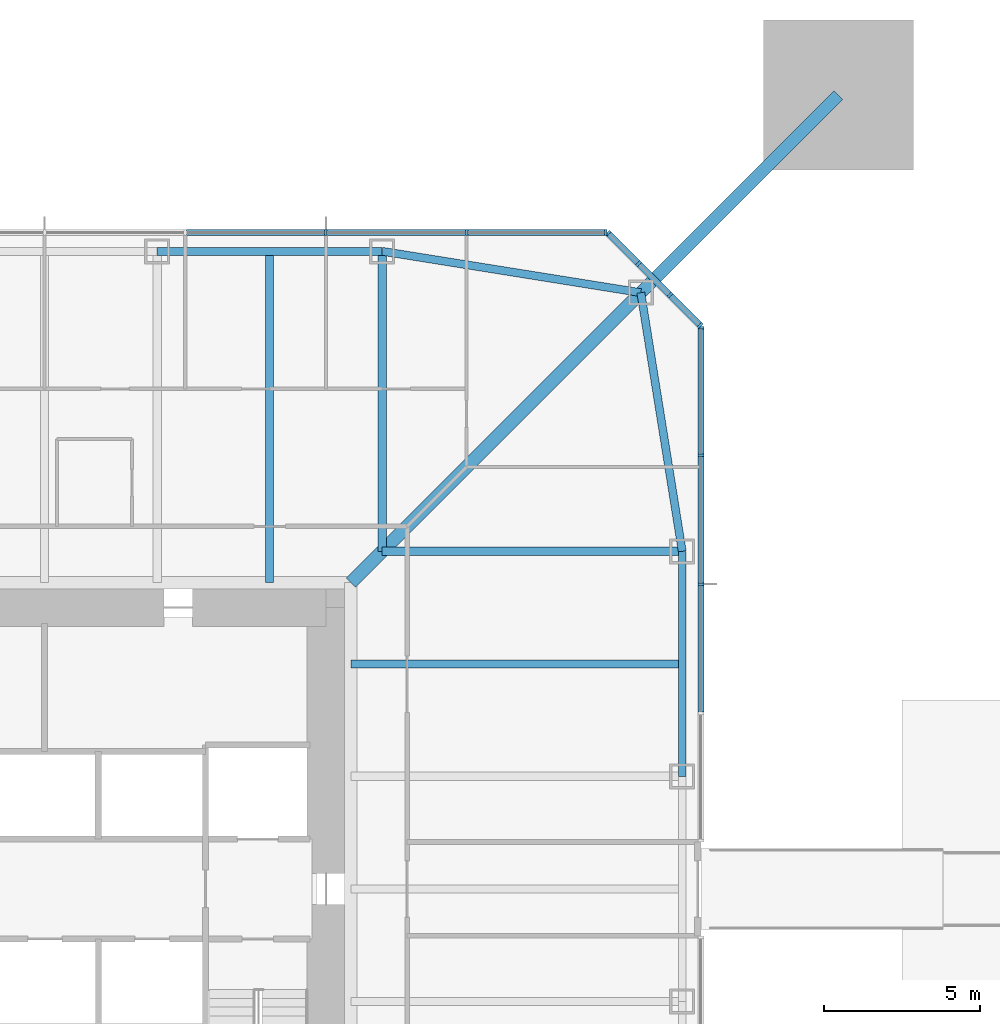
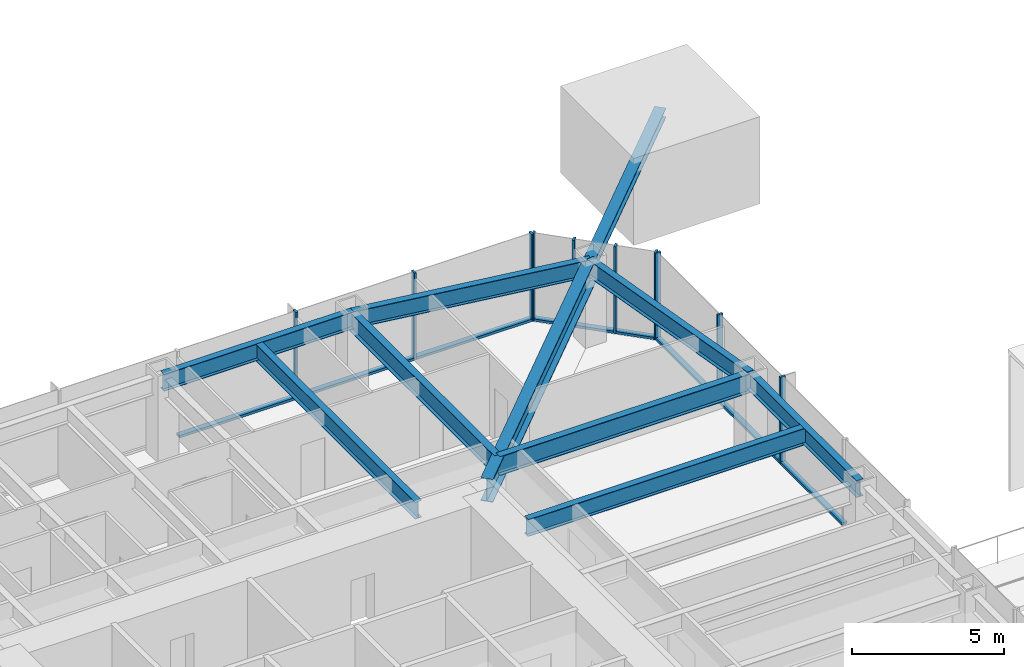
# One storey, part 8 of 23: 20 members, 9 beams, 3 elements without a shape of their own.
"""IFC4 building model written with IfcOpenShell, lengths in metres."""

import ifcopenshell
import ifcopenshell.guid

model = None  # the IFC model being written
_history = None  # IfcOwnerHistory: only IFC2X3 demands one
_inside = {}  # id of a spatial element -> (the spatial element, [elements in it])
_under = {}  # id of a project, library or spatial element -> (it, [spatial elements below it])
_declared = {}  # id of a project -> (the project, [libraries it declares])
_typed = {}  # id of a type object -> (the type object, [elements of that type])
_made_of = {}  # id of a material, layer set ... -> (it, [elements and type objects made of it])


def new_model(schema):
    """Start an empty IFC model of exactly this schema.

    Asked for "IFC4X3", IfcOpenShell would pick the latest addendum, in which some entities
    have other attributes; the version numbers below select the first issue.
    IFC2X3 requires an IfcOwnerHistory on every rooted entity: one is made here for all.
    """
    global model, _history
    if schema == "IFC4X3":
        model = ifcopenshell.file(schema_version=(4, 3, 0, 0))
    else:
        model = ifcopenshell.file(schema=schema)
    _inside.clear()
    _under.clear()
    _declared.clear()
    _typed.clear()
    _made_of.clear()
    _history = None
    if model.schema == "IFC2X3":
        org = make("IfcOrganization", Name="unknown")
        user = make(
            "IfcPersonAndOrganization",
            ThePerson=make("IfcPerson", FamilyName="unknown"),
            TheOrganization=org,
        )
        app = make(
            "IfcApplication",
            ApplicationDeveloper=org,
            Version="unknown",
            ApplicationFullName="unknown",
            ApplicationIdentifier="unknown",
        )
        _history = make(
            "IfcOwnerHistory",
            OwningUser=user,
            OwningApplication=app,
            ChangeAction="ADDED",
            CreationDate=0,
        )
    return model


def make(cls, **values):
    """One entity of the class cls with the attributes given. An attribute that is None is left unset."""
    return model.create_entity(
        cls, **{name: value for name, value in values.items() if value is not None}
    )


def rooted(cls, **values):
    """An entity with a GlobalId (a new one), such as an element, a storey or a relation."""
    return make(cls, GlobalId=ifcopenshell.guid.new(), OwnerHistory=_history, **values)


def si_unit(unit_type, name, prefix=None):
    """IfcSIUnit, for example si_unit("LENGTHUNIT", "METRE", prefix="MILLI")."""
    return make("IfcSIUnit", UnitType=unit_type, Prefix=prefix, Name=name)


def assignment(units):
    """IfcUnitAssignment: the units of a project."""
    return None if units is None else make("IfcUnitAssignment", Units=units)


def point(xyz):
    """IfcCartesianPoint."""
    return None if xyz is None else make("IfcCartesianPoint", Coordinates=xyz)


def direction(xyz):
    """IfcDirection."""
    return None if xyz is None else make("IfcDirection", DirectionRatios=xyz)


def frame(location, z_axis=None, x_axis=None):
    """IfcAxis2Placement3D, a coordinate frame: its origin and axes. An axis left out is left unset."""
    return make(
        "IfcAxis2Placement3D",
        Location=point(location),
        Axis=direction(z_axis),
        RefDirection=direction(x_axis),
    )


def frame_2d(location, x_axis=None):
    """IfcAxis2Placement2D, a coordinate frame in the plane: its origin and x axis."""
    return make(
        "IfcAxis2Placement2D", Location=point(location), RefDirection=direction(x_axis)
    )


def origin():
    """The frame at (0, 0, 0) with its axes left unset."""
    return frame((0.0, 0.0, 0.0))


def origin_2d():
    """The frame at (0, 0) in the plane with its x axis left unset."""
    return frame_2d((0.0, 0.0))


def place(relative_to, where):
    """IfcLocalPlacement: puts the frame where relative to a parent placement (None: the world)."""
    return make(
        "IfcLocalPlacement", PlacementRelTo=relative_to, RelativePlacement=where
    )


def context(
    kind, dimensions, precision=None, world=None, true_north=None, identifier=None
):
    """IfcGeometricRepresentationContext, for example the 3D "Model" context."""
    return make(
        "IfcGeometricRepresentationContext",
        ContextIdentifier=identifier,
        ContextType=kind,
        CoordinateSpaceDimension=dimensions,
        Precision=precision,
        WorldCoordinateSystem=world,
        TrueNorth=true_north,
    )


def subcontext(parent, identifier, kind, view, scale=None):
    """IfcGeometricRepresentationSubContext, for example "Body" below "Model"."""
    return make(
        "IfcGeometricRepresentationSubContext",
        ContextIdentifier=identifier,
        ContextType=kind,
        ParentContext=parent,
        TargetScale=scale,
        TargetView=view,
    )


def project(units=None, contexts=None):
    """IfcProject with its units and contexts."""
    return rooted(
        "IfcProject",
        Name="project",
        RepresentationContexts=contexts,
        UnitsInContext=assignment(units),
    )


def spatial(cls, under=None, at=None, **own):
    """A site, building, storey or space (cls), placed at a placement, below another one or the project."""
    s = rooted(cls, ObjectPlacement=at, **own)
    if under is not None:
        _under.setdefault(under.id(), (under, []))[1].append(s)
    return s


def profile(cls, at=None, kind="AREA", **sizes):
    """A parametric profile (cls). Its sizes go by their IFC names, for example OverallWidth=200.0."""
    return make(cls, ProfileType=kind, Position=at, **sizes)


def rectangle(**sizes):
    """IfcRectangleProfileDef."""
    return profile("IfcRectangleProfileDef", **sizes)


def i_section(**sizes):
    """IfcIShapeProfileDef."""
    return profile("IfcIShapeProfileDef", **sizes)


def extrude(swept, where, along, depth):
    """IfcExtrudedAreaSolid: the profile swept, set in the frame where, extruded along a direction by depth."""
    return make(
        "IfcExtrudedAreaSolid",
        SweptArea=swept,
        Position=where,
        ExtrudedDirection=direction(along),
        Depth=depth,
    )


def shape(context_of_items, identifier, shape_type, items):
    """IfcShapeRepresentation: the items that make up one representation, for example the "Body"."""
    return make(
        "IfcShapeRepresentation",
        ContextOfItems=context_of_items,
        RepresentationIdentifier=identifier,
        RepresentationType=shape_type,
        Items=items,
    )


def material(Name=None, Category=None):
    """IfcMaterial."""
    return make("IfcMaterial", Name=Name, Category=Category)


def material_profile(
    of_material, cross_section, Name=None, Category=None, Priority=None
):
    """IfcMaterialProfile: a cross section and its material."""
    return make(
        "IfcMaterialProfile",
        Name=Name,
        Material=of_material,
        Profile=cross_section,
        Priority=Priority,
        Category=Category,
    )


def profile_set(profiles, Name=None, composite=None):
    """IfcMaterialProfileSet."""
    return make(
        "IfcMaterialProfileSet",
        Name=Name,
        MaterialProfiles=profiles,
        CompositeProfile=composite,
    )


def made_of(thing, what):
    """Note that an element or type object is made of a material, layer set ...; save() writes the relation."""
    if what is not None:
        _made_of.setdefault(what.id(), (what, []))[1].append(thing)
    return thing


def type_object(cls, material=None, **own):
    """A type object (cls), such as IfcWallType, which elements share."""
    return made_of(rooted(cls, **own), material)


def element(
    cls,
    number,
    at=None,
    inside=None,
    cuts=None,
    type_object=None,
    material=None,
    context=None,
    identifier="Body",
    shape_type=None,
    held_by="IfcProductDefinitionShape",
    body=None,
    shapes=None,
    **own,
):
    """One element of the class cls, such as IfcWall. Its Tag is "e" and its number.

    at: its placement. inside: the storey or other place that contains it. cuts: it is an
    opening in that element (IfcRelVoidsElement). A single representation is given by context,
    identifier, shape_type and body (its items); several are given by shapes. held_by: the class
    of the entity that holds the representations. save() writes the other relations.
    """
    e = rooted(cls, Tag="e%d" % number, ObjectPlacement=at, **own)
    if body is not None:
        shapes = [shape(context, identifier, shape_type, body)]
    if shapes is not None:
        e.Representation = make(held_by, Representations=shapes)
    if inside is not None:
        _inside.setdefault(inside.id(), (inside, []))[1].append(e)
    if cuts is not None:
        rooted(
            "IfcRelVoidsElement", RelatingBuildingElement=cuts, RelatedOpeningElement=e
        )
    if type_object is not None:
        _typed.setdefault(type_object.id(), (type_object, []))[1].append(e)
    return made_of(e, material)


def aggregate(whole, parts):
    """IfcRelAggregates: a whole, such as a stair, and the parts it consists of."""
    return rooted("IfcRelAggregates", RelatingObject=whole, RelatedObjects=parts)


def save(model, path):
    """Write the relations noted so far, then the file.

    IfcRelAggregates (storeys below a building ...), IfcRelContainedInSpatialStructure (elements
    in a storey), IfcRelDefinesByType, IfcRelAssociatesMaterial and IfcRelDeclares: one each for
    every whole, place, type object, material and project.
    """
    for whole, parts in _under.values():
        aggregate(whole, parts)
    for where, things in _inside.values():
        rooted(
            "IfcRelContainedInSpatialStructure",
            RelatedElements=things,
            RelatingStructure=where,
        )
    for kind, things in _typed.values():
        rooted("IfcRelDefinesByType", RelatedObjects=things, RelatingType=kind)
    for what, things in _made_of.values():
        rooted("IfcRelAssociatesMaterial", RelatedObjects=things, RelatingMaterial=what)
    for by, libraries in _declared.values():
        rooted("IfcRelDeclares", RelatingContext=by, RelatedDefinitions=libraries)
    model.write(path)


model = new_model("IFC4")

# Units and contexts
model_context = context("Model", 3, precision=1e-05, world=origin(), true_north=direction((0.0, 1.0)))
body_context = subcontext(model_context, "Body", "Model", "MODEL_VIEW")
ifc_project = project(units=[si_unit("LENGTHUNIT", "METRE"), si_unit("AREAUNIT", "SQUARE_METRE"), si_unit("VOLUMEUNIT", "CUBIC_METRE"), si_unit("PLANEANGLEUNIT", "RADIAN"), si_unit("MASSUNIT", "GRAM", prefix="KILO")], contexts=[model_context])

# Site, building, storey
site_placement = place(None, origin())
site = spatial("IfcSite", under=ifc_project, at=site_placement, CompositionType="ELEMENT")
building_placement = place(site_placement, origin())
building = spatial("IfcBuilding", under=site, at=building_placement, Name="Iwan Alto Co-Living Towers", CompositionType="ELEMENT")
storey_placement = place(building_placement, frame((0.0, 0.0, 129.5)))
storey = spatial("IfcBuildingStorey", under=building, at=storey_placement, Name="L35", CompositionType="ELEMENT", Elevation=129.5)

# Curtain wall, members
ifc_material_1 = material(Name="Bronze aluminium unitised frame", Category="aluminium")
curtain_wall_type_1 = type_object("IfcCurtainWallType", Name="CURTAIN WALL CW-A", PredefinedType="NOTDEFINED", material=ifc_material_1)
curtain_wall_1_placement = place(storey_placement, origin())
curtain_wall_1 = element("IfcCurtainWall", 1, at=curtain_wall_1_placement, inside=storey, type_object=curtain_wall_type_1, Name="T1 curtain wall E L35 part 2", PredefinedType="NOTDEFINED")
ifc_material_2 = material(Name="Aluminium 6063-T6 bronze anodised", Category="aluminium")
ifc_material_profile_1 = material_profile(ifc_material_2, rectangle(XDim=0.199951171875, YDim=0.080078125, at=origin_2d()), Name="AL 80X200")
ifc_profile_set_1 = profile_set([ifc_material_profile_1], Name="Aluminium 6063-T6 bronze anodised")
member_type_1 = type_object("IfcMemberType", Name="CW-A MULLION 80X200", PredefinedType="MULLION", material=ifc_profile_set_1)
member_1_placement = place(storey_placement, frame((21.0, 9.75, 0.0), z_axis=(0.0, 0.0, 1.0), x_axis=(-1.0, 0.0, 0.0)))
member_1 = element("IfcMember", 2, at=member_1_placement, type_object=member_type_1, Name="CW-A mullion 3", PredefinedType="MULLION", context=body_context, shape_type="SweptSolid", body=[
    extrude(rectangle(XDim=0.199951171875, YDim=0.080078125, at=origin_2d()), origin(), (0.0, 0.0, 1.0), 3.5),
])
member_2_placement = place(storey_placement, frame((21.0, 13.875, 0.0), z_axis=(0.0, 0.0, 1.0), x_axis=(-1.0, 0.0, 0.0)))
member_2 = element("IfcMember", 3, at=member_2_placement, type_object=member_type_1, Name="CW-A mullion 4", PredefinedType="MULLION", context=body_context, shape_type="SweptSolid", body=[
    extrude(rectangle(XDim=0.199951171875, YDim=0.080078125, at=origin_2d()), origin(), (0.0, 0.0, 1.0), 3.5),
])
member_3_placement = place(storey_placement, frame((21.0, 17.9599609375, 0.0), z_axis=(0.0, 0.0, 1.0), x_axis=(-1.0, 0.0, 0.0)))
member_3 = element("IfcMember", 4, at=member_3_placement, type_object=member_type_1, Name="CW-A mullion 5", PredefinedType="MULLION", context=body_context, shape_type="SweptSolid", body=[
    extrude(rectangle(XDim=0.199951171875, YDim=0.080078125, at=origin_2d()), origin(), (0.0, 0.0, 1.0), 3.5),
])

curtain_wall_2_placement = place(storey_placement, origin())
curtain_wall_2 = element("IfcCurtainWall", 5, at=curtain_wall_2_placement, inside=storey, type_object=curtain_wall_type_1, Name="T1 curtain wall N L35", PredefinedType="NOTDEFINED")
member_4_placement = place(storey_placement, frame((17.9599609375, 21.0, 0.0), z_axis=(0.0, 0.0, 1.0), x_axis=(0.0, -1.0, 0.0)))
member_4 = element("IfcMember", 6, at=member_4_placement, type_object=member_type_1, Name="CW-A mullion 1", PredefinedType="MULLION", context=body_context, shape_type="SweptSolid", body=[
    extrude(rectangle(XDim=0.199951171875, YDim=0.080078125, at=origin_2d()), origin(), (0.0, 0.0, 1.0), 3.5),
])
member_5_placement = place(storey_placement, frame((13.5, 21.0, 0.0), z_axis=(0.0, 0.0, 1.0), x_axis=(0.0, -1.0, 0.0)))
member_5 = element("IfcMember", 7, at=member_5_placement, type_object=member_type_1, Name="CW-A mullion 2", PredefinedType="MULLION", context=body_context, shape_type="SweptSolid", body=[
    extrude(rectangle(XDim=0.199951171875, YDim=0.080078125, at=origin_2d()), origin(), (0.0, 0.0, 1.0), 3.5),
])
member_6_placement = place(storey_placement, frame((9.0, 21.0, 0.0), z_axis=(0.0, 0.0, 1.0), x_axis=(0.0, -1.0, 0.0)))
member_6 = element("IfcMember", 8, at=member_6_placement, type_object=member_type_1, Name="CW-A mullion 3", PredefinedType="MULLION", context=body_context, shape_type="SweptSolid", body=[
    extrude(rectangle(XDim=0.199951171875, YDim=0.080078125, at=origin_2d()), origin(), (0.0, 0.0, 1.0), 3.5),
])

# Member
ifc_material_3 = material(Name="Aluminium 6063-T6 bronze anodised", Category="aluminium")
ifc_material_profile_2 = material_profile(ifc_material_3, rectangle(XDim=0.199951171875, YDim=0.10009765625, at=origin_2d()), Name="AL 200X100")
ifc_profile_set_2 = profile_set([ifc_material_profile_2], Name="Aluminium 6063-T6 bronze anodised")
member_type_2 = type_object("IfcMemberType", Name="CW-A TRANSOM 200X100", PredefinedType="USERDEFINED", material=ifc_profile_set_2)
member_7_placement = place(storey_placement, frame((21.0, 5.6650390625, 0.050048828125), z_axis=(0.0, 1.0, 0.0), x_axis=(-1.0, 0.0, 0.0)))
member_7 = element("IfcMember", 9, at=member_7_placement, type_object=member_type_2, Name="CW-A transom 2.1", ObjectType="TRANSOM", PredefinedType="USERDEFINED", context=body_context, shape_type="SweptSolid", body=[
    extrude(rectangle(XDim=0.199951171875, YDim=0.10009765625, at=origin_2d()), origin(), (0.0, 0.0, 1.0), 4.044921875),
])

member_8_placement = place(storey_placement, frame((21.0, 9.7900390625, 0.050048828125), z_axis=(0.0, 1.0, 0.0), x_axis=(-1.0, 0.0, 0.0)))
member_8 = element("IfcMember", 10, at=member_8_placement, type_object=member_type_2, Name="CW-A transom 3.1", ObjectType="TRANSOM", PredefinedType="USERDEFINED", context=body_context, shape_type="SweptSolid", body=[
    extrude(rectangle(XDim=0.199951171875, YDim=0.10009765625, at=origin_2d()), origin(), (0.0, 0.0, 1.0), 4.044921875),
])

member_9_placement = place(storey_placement, frame((21.0, 13.9150390625, 0.050048828125), z_axis=(0.0, 1.0, 0.0), x_axis=(-1.0, 0.0, 0.0)))
member_9 = element("IfcMember", 11, at=member_9_placement, type_object=member_type_2, Name="CW-A transom 4.1", ObjectType="TRANSOM", PredefinedType="USERDEFINED", context=body_context, shape_type="SweptSolid", body=[
    extrude(rectangle(XDim=0.199951171875, YDim=0.10009765625, at=origin_2d()), origin(), (0.0, 0.0, 1.0), 4.0048828125),
])

aggregate(curtain_wall_1, [member_1, member_2, member_3, member_7, member_8, member_9])

member_10_placement = place(storey_placement, frame((17.919921875, 21.0, 0.050048828125), z_axis=(-1.0, 0.0, 0.0), x_axis=(0.0, -1.0, 0.0)))
member_10 = element("IfcMember", 12, at=member_10_placement, type_object=member_type_2, Name="CW-A transom 1.1", ObjectType="TRANSOM", PredefinedType="USERDEFINED", context=body_context, shape_type="SweptSolid", body=[
    extrude(rectangle(XDim=0.199951171875, YDim=0.10009765625, at=origin_2d()), origin(), (0.0, 0.0, 1.0), 4.3798828125),
])

member_11_placement = place(storey_placement, frame((13.4599609375, 21.0, 0.050048828125), z_axis=(-1.0, 0.0, 0.0), x_axis=(0.0, -1.0, 0.0)))
member_11 = element("IfcMember", 13, at=member_11_placement, type_object=member_type_2, Name="CW-A transom 2.1", ObjectType="TRANSOM", PredefinedType="USERDEFINED", context=body_context, shape_type="SweptSolid", body=[
    extrude(rectangle(XDim=0.199951171875, YDim=0.10009765625, at=origin_2d()), origin(), (0.0, 0.0, 1.0), 4.419921875),
])

member_12_placement = place(storey_placement, frame((8.9599609375, 21.0, 0.050048828125), z_axis=(-1.0, 0.0, 0.0), x_axis=(0.0, -1.0, 0.0)))
member_12 = element("IfcMember", 14, at=member_12_placement, type_object=member_type_2, Name="CW-A transom 3.1", ObjectType="TRANSOM", PredefinedType="USERDEFINED", context=body_context, shape_type="SweptSolid", body=[
    extrude(rectangle(XDim=0.199951171875, YDim=0.10009765625, at=origin_2d()), origin(), (0.0, 0.0, 1.0), 4.419921875),
])

aggregate(curtain_wall_2, [member_4, member_5, member_6, member_10, member_11, member_12])

# Curtain wall, members
ifc_material_4 = material(Name="Bronze aluminium unitised frame", Category="aluminium")
curtain_wall_type_2 = type_object("IfcCurtainWallType", Name="CURTAIN WALL CW-B", PredefinedType="NOTDEFINED", material=ifc_material_4)
curtain_wall_3_placement = place(storey_placement, origin())
curtain_wall_3 = element("IfcCurtainWall", 15, at=curtain_wall_3_placement, inside=storey, type_object=curtain_wall_type_2, Name="T1 chamfer curtain wall NE L35", PredefinedType="NOTDEFINED")
ifc_material_5 = material(Name="Aluminium 6063-T6 bronze anodised", Category="aluminium")
ifc_material_profile_3 = material_profile(ifc_material_5, rectangle(XDim=0.199951171875, YDim=0.080078125, at=origin_2d()), Name="AL 80X200")
ifc_profile_set_3 = profile_set([ifc_material_profile_3], Name="Aluminium 6063-T6 bronze anodised")
member_type_3 = type_object("IfcMemberType", Name="CW-B MULLION 80X200", PredefinedType="MULLION", material=ifc_profile_set_3)
member_13_placement = place(storey_placement, frame((20.9716796875, 18.0283203125, 0.0), z_axis=(0.0, 0.0, 1.0), x_axis=(-0.707106781187, -0.707106781187, 0.0)))
member_13 = element("IfcMember", 16, at=member_13_placement, type_object=member_type_3, Name="CW-B mullion 1", PredefinedType="MULLION", context=body_context, shape_type="SweptSolid", body=[
    extrude(rectangle(XDim=0.199951171875, YDim=0.080078125, at=origin_2d()), origin(), (0.0, 0.0, 1.0), 3.5),
])
member_14_placement = place(storey_placement, frame((20.0, 19.0, 0.0), z_axis=(0.0, 0.0, 1.0), x_axis=(-0.707106781187, -0.707106781187, 0.0)))
member_14 = element("IfcMember", 17, at=member_14_placement, type_object=member_type_3, Name="CW-B mullion 2", PredefinedType="MULLION", context=body_context, shape_type="SweptSolid", body=[
    extrude(rectangle(XDim=0.199951171875, YDim=0.080078125, at=origin_2d()), origin(), (0.0, 0.0, 1.0), 3.5),
])
member_15_placement = place(storey_placement, frame((19.0, 20.0, 0.0), z_axis=(0.0, 0.0, 1.0), x_axis=(-0.707106781187, -0.707106781187, 0.0)))
member_15 = element("IfcMember", 18, at=member_15_placement, type_object=member_type_3, Name="CW-B mullion 3", PredefinedType="MULLION", context=body_context, shape_type="SweptSolid", body=[
    extrude(rectangle(XDim=0.199951171875, YDim=0.080078125, at=origin_2d()), origin(), (0.0, 0.0, 1.0), 3.5),
])
member_16_placement = place(storey_placement, frame((18.0283203125, 20.9716796875, 0.0), z_axis=(0.0, 0.0, 1.0), x_axis=(-0.707106781187, -0.707106781187, 0.0)))
member_16 = element("IfcMember", 19, at=member_16_placement, type_object=member_type_3, Name="CW-B mullion 4", PredefinedType="MULLION", context=body_context, shape_type="SweptSolid", body=[
    extrude(rectangle(XDim=0.199951171875, YDim=0.080078125, at=origin_2d()), origin(), (0.0, 0.0, 1.0), 3.5),
])
ifc_material_6 = material(Name="Aluminium 6063-T6 bronze anodised", Category="aluminium")
ifc_material_profile_4 = material_profile(ifc_material_6, rectangle(XDim=0.199951171875, YDim=0.10009765625, at=origin_2d()), Name="AL 200X100")
ifc_profile_set_4 = profile_set([ifc_material_profile_4], Name="Aluminium 6063-T6 bronze anodised")
member_type_4 = type_object("IfcMemberType", Name="CW-B TRANSOM 200X100", PredefinedType="USERDEFINED", material=ifc_profile_set_4)
member_17_placement = place(storey_placement, frame((20.943359375, 18.056640625, 0.050048828125), z_axis=(-0.707106781187, 0.707106781187, 0.0), x_axis=(-0.707106781187, -0.707106781187, 0.0)))
member_17 = element("IfcMember", 20, at=member_17_placement, type_object=member_type_4, Name="CW-B transom 1.1", ObjectType="TRANSOM", PredefinedType="USERDEFINED", context=body_context, shape_type="SweptSolid", body=[
    extrude(rectangle(XDim=0.199951171875, YDim=0.10009765625, at=origin_2d()), origin(), (0.0, 0.0, 1.0), 1.2939453125),
])
member_18_placement = place(storey_placement, frame((19.9716796875, 19.0283203125, 0.050048828125), z_axis=(-0.707106781187, 0.707106781187, 0.0), x_axis=(-0.707106781187, -0.707106781187, 0.0)))
member_18 = element("IfcMember", 21, at=member_18_placement, type_object=member_type_4, Name="CW-B transom 2.1", ObjectType="TRANSOM", PredefinedType="USERDEFINED", context=body_context, shape_type="SweptSolid", body=[
    extrude(rectangle(XDim=0.199951171875, YDim=0.10009765625, at=origin_2d()), origin(), (0.0, 0.0, 1.0), 1.334228515625),
])
member_19_placement = place(storey_placement, frame((18.9716796875, 20.0283203125, 0.050048828125), z_axis=(-0.707106781187, 0.707106781187, 0.0), x_axis=(-0.707106781187, -0.707106781187, 0.0)))
member_19 = element("IfcMember", 22, at=member_19_placement, type_object=member_type_4, Name="CW-B transom 3.1", ObjectType="TRANSOM", PredefinedType="USERDEFINED", context=body_context, shape_type="SweptSolid", body=[
    extrude(rectangle(XDim=0.199951171875, YDim=0.10009765625, at=origin_2d()), origin(), (0.0, 0.0, 1.0), 1.2939453125),
])
aggregate(curtain_wall_3, [member_13, member_14, member_15, member_16, member_17, member_18, member_19])

# Beams
ifc_material_7 = material(Name="Steel ASTM A992 Gr 50", Category="steel")
ifc_material_profile_5 = material_profile(ifc_material_7, i_section(OverallWidth=0.419189453125, OverallDepth=0.927001953125, WebThickness=0.019287109375, FlangeThickness=0.031982421875, at=origin_2d()), Name="W36X231")
ifc_profile_set_5 = profile_set([ifc_material_profile_5], Name="Steel ASTM A992 Gr 50")
beam_type_1 = type_object("IfcBeamType", Name="T1 CORNER GIRDER W36X231", PredefinedType="BEAM", material=ifc_profile_set_5)
beam_1_placement = place(storey_placement, frame((19.07568359375, 19.07568359375, 2.806396484375), z_axis=(-0.707106781187, -0.707106781187, 0.0), x_axis=(0.707106781187, -0.707106781187, 0.0)))
element("IfcBeam", 23, at=beam_1_placement, inside=storey, type_object=beam_type_1, Name="T1 corner girder CNE L36", PredefinedType="BEAM", context=body_context, shape_type="SweptSolid", body=[
    extrude(i_section(OverallWidth=0.419189453125, OverallDepth=0.927001953125, WebThickness=0.019287109375, FlangeThickness=0.031982421875, at=origin_2d()), origin(), (0.0, 0.0, 1.0), 13.11865234375),
])
ifc_material_8 = material(Name="Steel ASTM A992 Gr 50", Category="steel")
ifc_material_profile_6 = material_profile(ifc_material_8, i_section(OverallWidth=0.25390625, OverallDepth=0.683349609375, WebThickness=0.012451171875, FlangeThickness=0.018798828125, at=origin_2d()), Name="W27X94")
ifc_profile_set_6 = profile_set([ifc_material_profile_6], Name="Steel ASTM A992 Gr 50")
beam_type_2 = type_object("IfcBeamType", Name="T1 EDGE BEAM W27X94", PredefinedType="BEAM", material=ifc_profile_set_6)
beam_2_placement = place(storey_placement, frame((20.39990234375, 3.60009765625, 2.928466796875), z_axis=(0.0, 1.0, 0.0), x_axis=(-1.0, 0.0, 0.0)))
element("IfcBeam", 24, at=beam_2_placement, inside=storey, type_object=beam_type_2, Name="T1 edge beam E3 L36", PredefinedType="BEAM", context=body_context, shape_type="SweptSolid", body=[
    extrude(i_section(OverallWidth=0.25390625, OverallDepth=0.683349609375, WebThickness=0.012451171875, FlangeThickness=0.018798828125, at=origin_2d()), origin(), (0.0, 0.0, 1.0), 7.199951171875),
])
for number, where, z_axis, x_axis, name in (
    (25, (20.39990234375, 10.800048828125, 2.928466796875), (-0.158004134737, 0.987438450439, 0.0), (-0.987438450439, -0.158004134737, 0.0), "T1 edge beam E4 L36"),
    (26, (19.07568359375, 19.07568359375, 2.928466796875), (-0.987438450439, 0.158004134737, 0.0), (-0.158004134737, -0.987438450439, 0.0), "T1 edge beam CNE L36"),
):
    element("IfcBeam", number, at=place(storey_placement, frame(where, z_axis=z_axis, x_axis=x_axis)), inside=storey, type_object=beam_type_2, Name=name, PredefinedType="BEAM", context=body_context, shape_type="SweptSolid", body=[
        extrude(i_section(OverallWidth=0.25390625, OverallDepth=0.683349609375, WebThickness=0.012451171875, FlangeThickness=0.018798828125, at=origin_2d()), origin(), (0.0, 0.0, 1.0), 8.380859375),
    ])
beam_3_placement = place(storey_placement, frame((10.800048828125, 20.39990234375, 2.928466796875), z_axis=(-1.0, 0.0, 0.0), x_axis=(0.0, -1.0, 0.0)))
element("IfcBeam", 27, at=beam_3_placement, inside=storey, type_object=beam_type_2, Name="T1 edge beam N1 L36", PredefinedType="BEAM", context=body_context, shape_type="SweptSolid", body=[
    extrude(i_section(OverallWidth=0.25390625, OverallDepth=0.683349609375, WebThickness=0.012451171875, FlangeThickness=0.018798828125, at=origin_2d()), origin(), (0.0, 0.0, 1.0), 7.199951171875),
])

# Member
ifc_material_9 = material(Name="Steel ASTM A992 Gr 50", Category="steel")
ifc_material_profile_7 = material_profile(ifc_material_9, i_section(OverallWidth=0.393798828125, OverallDepth=0.3759765625, WebThickness=0.017333984375, FlangeThickness=0.027587890625, at=origin_2d()), Name="W14X145")
ifc_profile_set_7 = profile_set([ifc_material_profile_7], Name="Steel ASTM A992 Gr 50")
member_type_5 = type_object("IfcMemberType", Name="T1 MEGA COLUMN FLOOR TIE W14X145", PredefinedType="STRUT", material=ifc_profile_set_7)
member_20_placement = place(storey_placement, frame((25.39990234375, 25.39990234375, 3.08203125), z_axis=(-0.707106781187, -0.707106781187, 0.0), x_axis=(0.707106781187, -0.707106781187, 0.0)))
element("IfcMember", 28, at=member_20_placement, inside=storey, type_object=member_type_5, Name="T1 mega column floor tie NE L36", PredefinedType="STRUT", context=body_context, shape_type="SweptSolid", body=[
    extrude(i_section(OverallWidth=0.393798828125, OverallDepth=0.3759765625, WebThickness=0.017333984375, FlangeThickness=0.027587890625, at=origin_2d()), origin(), (0.0, 0.0, 1.0), 8.94384765625),
])

# Beams
ifc_material_10 = material(Name="Steel ASTM A992 Gr 50", Category="steel")
ifc_material_profile_8 = material_profile(ifc_material_10, i_section(OverallWidth=0.2666015625, OverallDepth=0.761962890625, WebThickness=0.014404296875, FlangeThickness=0.021484375, at=origin_2d()), Name="W30X116")
ifc_profile_set_8 = profile_set([ifc_material_profile_8], Name="Steel ASTM A992 Gr 50")
beam_type_3 = type_object("IfcBeamType", Name="T1 RADIAL BEAM W30X116", PredefinedType="BEAM", material=ifc_profile_set_8)
for number, where, z_axis, x_axis, name in (
    (29, (20.39990234375, 10.800048828125, 2.888916015625), (-1.0, 0.0, 0.0), (0.0, -1.0, 0.0), "T1 radial beam E4 L36"),
    (30, (10.800048828125, 20.39990234375, 2.888916015625), (0.0, -1.0, 0.0), (1.0, 0.0, 0.0), "T1 radial beam N1 L36"),
):
    element("IfcBeam", number, at=place(storey_placement, frame(where, z_axis=z_axis, x_axis=x_axis)), inside=storey, type_object=beam_type_3, Name=name, PredefinedType="BEAM", context=body_context, shape_type="SweptSolid", body=[
        extrude(i_section(OverallWidth=0.2666015625, OverallDepth=0.761962890625, WebThickness=0.014404296875, FlangeThickness=0.021484375, at=origin_2d()), origin(), (0.0, 0.0, 1.0), 9.599853515625),
    ])
ifc_material_11 = material(Name="Steel ASTM A992 Gr 50", Category="steel")
ifc_material_profile_9 = material_profile(ifc_material_11, i_section(OverallWidth=0.25390625, OverallDepth=0.683349609375, WebThickness=0.012451171875, FlangeThickness=0.018798828125, at=origin_2d()), Name="W27X94")
ifc_profile_set_9 = profile_set([ifc_material_profile_9], Name="Steel ASTM A992 Gr 50")
beam_type_4 = type_object("IfcBeamType", Name="T1 SECONDARY BEAM W27X94", PredefinedType="JOIST", material=ifc_profile_set_9)
for number, where, z_axis, x_axis, name in (
    (31, (20.39990234375, 7.199951171875, 2.928466796875), (-1.0, 0.0, 0.0), (0.0, -1.0, 0.0), "T1 secondary beam E3 L36"),
    (32, (7.199951171875, 20.39990234375, 2.928466796875), (0.0, -1.0, 0.0), (1.0, 0.0, 0.0), "T1 secondary beam N1 L36"),
):
    element("IfcBeam", number, at=place(storey_placement, frame(where, z_axis=z_axis, x_axis=x_axis)), inside=storey, type_object=beam_type_4, Name=name, PredefinedType="JOIST", context=body_context, shape_type="SweptSolid", body=[
        extrude(i_section(OverallWidth=0.25390625, OverallDepth=0.683349609375, WebThickness=0.012451171875, FlangeThickness=0.018798828125, at=origin_2d()), origin(), (0.0, 0.0, 1.0), 10.6005859375),
    ])

save(model, "model.ifc")
